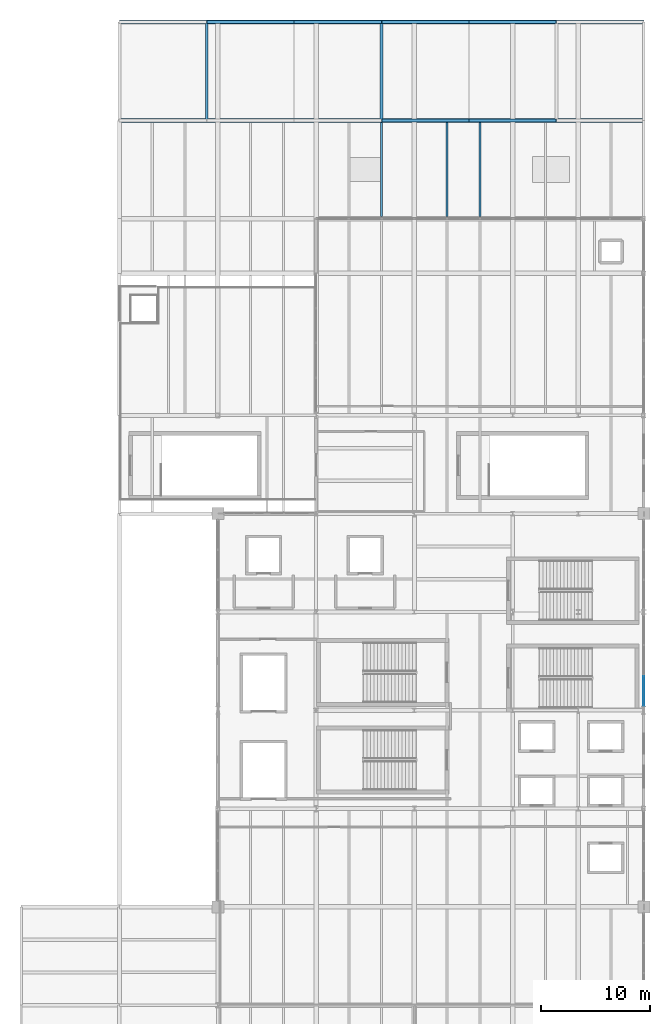
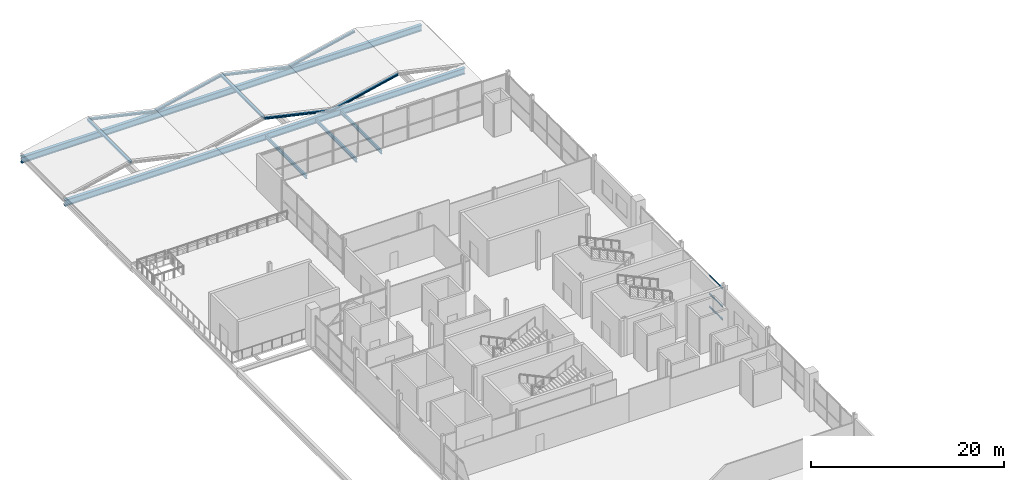
# One storey, part 29 of 50: 13 beams, 3 members, 1 element without a shape of its own.
"""IFC4 building model written with IfcOpenShell, lengths in metres."""

from ifc_helpers import new_model, si_unit, direction, frame, origin, origin_2d, place, context, subcontext, project, spatial, rectangle, i_section, extrude, material, layer, layer_set, material_profile, profile_set, type_object, element, aggregate, save


model = new_model("IFC4")

# Units and contexts
model_context = context("Model", 3, precision=1e-05, world=origin(), true_north=direction((0.0, 1.0)))
body_context = subcontext(model_context, "Body", "Model", "MODEL_VIEW")
ifc_project = project(units=[si_unit("LENGTHUNIT", "METRE"), si_unit("AREAUNIT", "SQUARE_METRE"), si_unit("VOLUMEUNIT", "CUBIC_METRE"), si_unit("PLANEANGLEUNIT", "RADIAN"), si_unit("MASSUNIT", "GRAM", prefix="KILO")], contexts=[model_context])

# Site, building, storey
site_placement = place(None, origin())
site = spatial("IfcSite", under=ifc_project, at=site_placement, CompositionType="ELEMENT")
building_placement = place(site_placement, origin())
building = spatial("IfcBuilding", under=site, at=building_placement, Name="Qamarlyn Nura Convention Centre", CompositionType="ELEMENT")
storey_placement = place(building_placement, frame((0.0, 0.0, 20.39990234375)))
storey = spatial("IfcBuildingStorey", under=building, at=storey_placement, Name="L04", CompositionType="ELEMENT", Elevation=20.39990234375)

# Beams
ifc_material_1 = material(Name="Steel ASTM A992", Category="steel")
ifc_material_profile_1 = material_profile(ifc_material_1, i_section(OverallWidth=0.381103515625, OverallDepth=0.77294921875, WebThickness=0.0166015625, FlangeThickness=0.027587890625, FilletRadius=0.02001953125, at=origin_2d()), Name="W760X257")
ifc_profile_set_1 = profile_set([ifc_material_profile_1], Name="Steel ASTM A992")
beam_type_1 = type_object("IfcBeamType", Name="BM-GIRD-760", PredefinedType="BEAM", material=ifc_profile_set_1)
for number, where, z_axis, x_axis, name in (
    (1, (144.0, 117.0, -0.8349609375), (1.0, 0.0, 0.0), (0.0, 1.0, 0.0), "ROOF TRUSS Plenary eave girder Y117"),
    (2, (144.0, 126.0, -0.8349609375), (1.0, 0.0, 0.0), (0.0, 1.0, 0.0), "ROOF TRUSS Plenary eave girder Y126"),
):
    element("IfcBeam", number, at=place(storey_placement, frame(where, z_axis=z_axis, x_axis=x_axis)), inside=storey, type_object=beam_type_1, Name=name, PredefinedType="BEAM", context=body_context, shape_type="SweptSolid", body=[
        extrude(i_section(OverallWidth=0.381103515625, OverallDepth=0.77294921875, WebThickness=0.0166015625, FlangeThickness=0.027587890625, FilletRadius=0.02001953125, at=origin_2d()), origin(), (0.0, 0.0, 1.0), 48.0),
    ])
ifc_material_profile_2 = material_profile(ifc_material_1, i_section(OverallWidth=0.18994140625, OverallDepth=0.45703125, WebThickness=0.009033203125, FlangeThickness=0.014404296875, FilletRadius=0.012939453125, at=origin_2d()), Name="W460X74")
ifc_profile_set_2 = profile_set([ifc_material_profile_2], Name="Steel ASTM A992")
beam_type_2 = type_object("IfcBeamType", Name="BM-JOIST-460", PredefinedType="JOIST", material=ifc_profile_set_2)
for number, where, z_axis, x_axis, name in (
    (3, (168.0, 108.208984375, -0.677001953125), (0.0, 1.0, 0.0), (-1.0, 0.0, 0.0), "L04 secondary joist 14-15/N-P-37"),
    (4, (174.0, 108.208984375, -0.677001953125), (0.0, 1.0, 0.0), (-1.0, 0.0, 0.0), "L04 secondary joist 15-16/N-P-56"),
    (5, (177.0, 108.208984375, -0.677001953125), (0.0, 1.0, 0.0), (-1.0, 0.0, 0.0), "L04 secondary joist 15-16/N-P-57"),
):
    element("IfcBeam", number, at=place(storey_placement, frame(where, z_axis=z_axis, x_axis=x_axis)), inside=storey, type_object=beam_type_2, Name=name, PredefinedType="JOIST", context=body_context, shape_type="SweptSolid", body=[
        extrude(i_section(OverallWidth=0.18994140625, OverallDepth=0.45703125, WebThickness=0.009033203125, FlangeThickness=0.014404296875, FilletRadius=0.012939453125, at=origin_2d()), origin(), (0.0, 0.0, 1.0), 8.6005859375),
    ])
ifc_material_profile_3 = material_profile(ifc_material_1, i_section(OverallWidth=0.25390625, OverallDepth=0.2529296875, WebThickness=0.008544921875, FlangeThickness=0.01416015625, FilletRadius=0.012939453125, at=origin_2d()), Name="W250X73")
ifc_profile_set_3 = profile_set([ifc_material_profile_3], Name="Steel ASTM A992")
beam_type_3 = type_object("IfcBeamType", Name="BM-PURL-250", PredefinedType="BEAM", material=ifc_profile_set_3)
beam_1_placement = place(storey_placement, frame((152.0, 126.0, 1.47998046875), z_axis=(0.97561485681, 0.0, -0.21948952406), x_axis=(0.0, 1.0, 0.0)))
element("IfcBeam", 6, at=beam_1_placement, inside=storey, type_object=beam_type_3, Name="ROOF TRUSS Plenary rafter 1E-126", PredefinedType="BEAM", context=body_context, shape_type="SweptSolid", body=[
    extrude(i_section(OverallWidth=0.25390625, OverallDepth=0.2529296875, WebThickness=0.008544921875, FlangeThickness=0.01416015625, FilletRadius=0.012939453125, at=origin_2d()), origin(), (0.0, 0.0, 1.0), 8.199951171875),
])
beam_2_placement = place(storey_placement, frame((152.0, 117.0, 1.47998046875), z_axis=(0.0, 1.0, 0.0), x_axis=(-1.0, 0.0, 0.0)))
element("IfcBeam", 7, at=beam_2_placement, inside=storey, type_object=beam_type_3, Name="ROOF TRUSS Plenary ridge purlin 1", PredefinedType="BEAM", context=body_context, shape_type="SweptSolid", body=[
    extrude(i_section(OverallWidth=0.25390625, OverallDepth=0.2529296875, WebThickness=0.008544921875, FlangeThickness=0.01416015625, FilletRadius=0.012939453125, at=origin_2d()), origin(), (0.0, 0.0, 1.0), 9.0),
])
for number, where, z_axis, x_axis, name in (
    (8, (168.0, 117.0, 1.47998046875), (0.97561485681, 0.0, -0.21948952406), (0.0, 1.0, 0.0), "ROOF TRUSS Plenary rafter 2E-117"),
    (9, (160.0, 126.0, -0.31982421875), (0.97561485681, 0.0, 0.21948952406), (0.0, 1.0, 0.0), "ROOF TRUSS Plenary rafter 2W-126"),
    (10, (168.0, 126.0, 1.47998046875), (0.97561485681, 0.0, -0.21948952406), (0.0, 1.0, 0.0), "ROOF TRUSS Plenary rafter 2E-126"),
):
    element("IfcBeam", number, at=place(storey_placement, frame(where, z_axis=z_axis, x_axis=x_axis)), inside=storey, type_object=beam_type_3, Name=name, PredefinedType="BEAM", context=body_context, shape_type="SweptSolid", body=[
        extrude(i_section(OverallWidth=0.25390625, OverallDepth=0.2529296875, WebThickness=0.008544921875, FlangeThickness=0.01416015625, FilletRadius=0.012939453125, at=origin_2d()), origin(), (0.0, 0.0, 1.0), 8.199951171875),
    ])
beam_3_placement = place(storey_placement, frame((168.0, 117.0, 1.47998046875), z_axis=(0.0, 1.0, 0.0), x_axis=(-1.0, 0.0, 0.0)))
element("IfcBeam", 11, at=beam_3_placement, inside=storey, type_object=beam_type_3, Name="ROOF TRUSS Plenary ridge purlin 2", PredefinedType="BEAM", context=body_context, shape_type="SweptSolid", body=[
    extrude(i_section(OverallWidth=0.25390625, OverallDepth=0.2529296875, WebThickness=0.008544921875, FlangeThickness=0.01416015625, FilletRadius=0.012939453125, at=origin_2d()), origin(), (0.0, 0.0, 1.0), 9.0),
])
for number, where, z_axis, x_axis, name in (
    (12, (176.0, 117.0, -0.31982421875), (0.97561485681, 0.0, 0.21948952406), (0.0, 1.0, 0.0), "ROOF TRUSS Plenary rafter 3W-117"),
    (13, (176.0, 126.0, -0.31982421875), (0.97561485681, 0.0, 0.21948952406), (0.0, 1.0, 0.0), "ROOF TRUSS Plenary rafter 3W-126"),
):
    element("IfcBeam", number, at=place(storey_placement, frame(where, z_axis=z_axis, x_axis=x_axis)), inside=storey, type_object=beam_type_3, Name=name, PredefinedType="BEAM", context=body_context, shape_type="SweptSolid", body=[
        extrude(i_section(OverallWidth=0.25390625, OverallDepth=0.2529296875, WebThickness=0.008544921875, FlangeThickness=0.01416015625, FilletRadius=0.012939453125, at=origin_2d()), origin(), (0.0, 0.0, 1.0), 8.199951171875),
    ])

# Curtain wall, members
ifc_material_2 = material(Name="Double-silver low-E insulated glass", Category="glass")
ifc_layer = layer(ifc_material_2, 0.179931640625, Name="CW-UNIT-137")
ifc_layer_set = layer_set([ifc_layer], Name="Double-silver low-E insulated glass")
curtain_wall_type = type_object("IfcCurtainWallType", Name="CW-UNIT-137", PredefinedType="NOTDEFINED", material=ifc_layer_set)
curtain_wall_placement = place(storey_placement, origin())
curtain_wall = element("IfcCurtainWall", 14, at=curtain_wall_placement, inside=storey, type_object=curtain_wall_type, Name="L04 unitised curtain wall EAST-8-1", PredefinedType="NOTDEFINED")
ifc_material_3 = material(Name="Champagne-anodised marine aluminium", Category="aluminium")
ifc_material_profile_4 = material_profile(ifc_material_3, rectangle(XDim=0.070068359375, YDim=0.139892578125, at=origin_2d()), Name="ALU TRANSOM 70x140")
ifc_profile_set_4 = profile_set([ifc_material_profile_4], Name="Champagne-anodised marine aluminium")
member_type = type_object("IfcMemberType", Name="CWT-140", PredefinedType="USERDEFINED", material=ifc_profile_set_4)
member_1_placement = place(storey_placement, frame((192.0, 66.125732421875, 0.03515625), z_axis=(0.0, -1.0, 0.0), x_axis=(1.0, 0.0, 0.0)))
member_1 = element("IfcMember", 15, at=member_1_placement, type_object=member_type, Name="CW137 transom 3.1", ObjectType="TRANSOM", PredefinedType="USERDEFINED", context=body_context, shape_type="SweptSolid", body=[
    extrude(rectangle(XDim=0.070068359375, YDim=0.139892578125, at=origin_2d()), origin(), (0.0, 0.0, 1.0), 2.708251953125),
])
member_2_placement = place(storey_placement, frame((192.0, 66.125732421875, 1.68310546875), z_axis=(0.0, -1.0, 0.0), x_axis=(1.0, 0.0, 0.0)))
member_2 = element("IfcMember", 16, at=member_2_placement, type_object=member_type, Name="CW137 transom 3.2", ObjectType="TRANSOM", PredefinedType="USERDEFINED", context=body_context, shape_type="SweptSolid", body=[
    extrude(rectangle(XDim=0.070068359375, YDim=0.139892578125, at=origin_2d()), origin(), (0.0, 0.0, 1.0), 2.708251953125),
])
member_3_placement = place(storey_placement, frame((192.0, 66.125732421875, 3.97119140625), z_axis=(0.0, -1.0, 0.0), x_axis=(1.0, 0.0, 0.0)))
member_3 = element("IfcMember", 17, at=member_3_placement, type_object=member_type, Name="CW137 transom 3.3", ObjectType="TRANSOM", PredefinedType="USERDEFINED", context=body_context, shape_type="SweptSolid", body=[
    extrude(rectangle(XDim=0.070068359375, YDim=0.139892578125, at=origin_2d()), origin(), (0.0, 0.0, 1.0), 2.708251953125),
])
aggregate(curtain_wall, [member_1, member_2, member_3])

save(model, "model.ifc")
